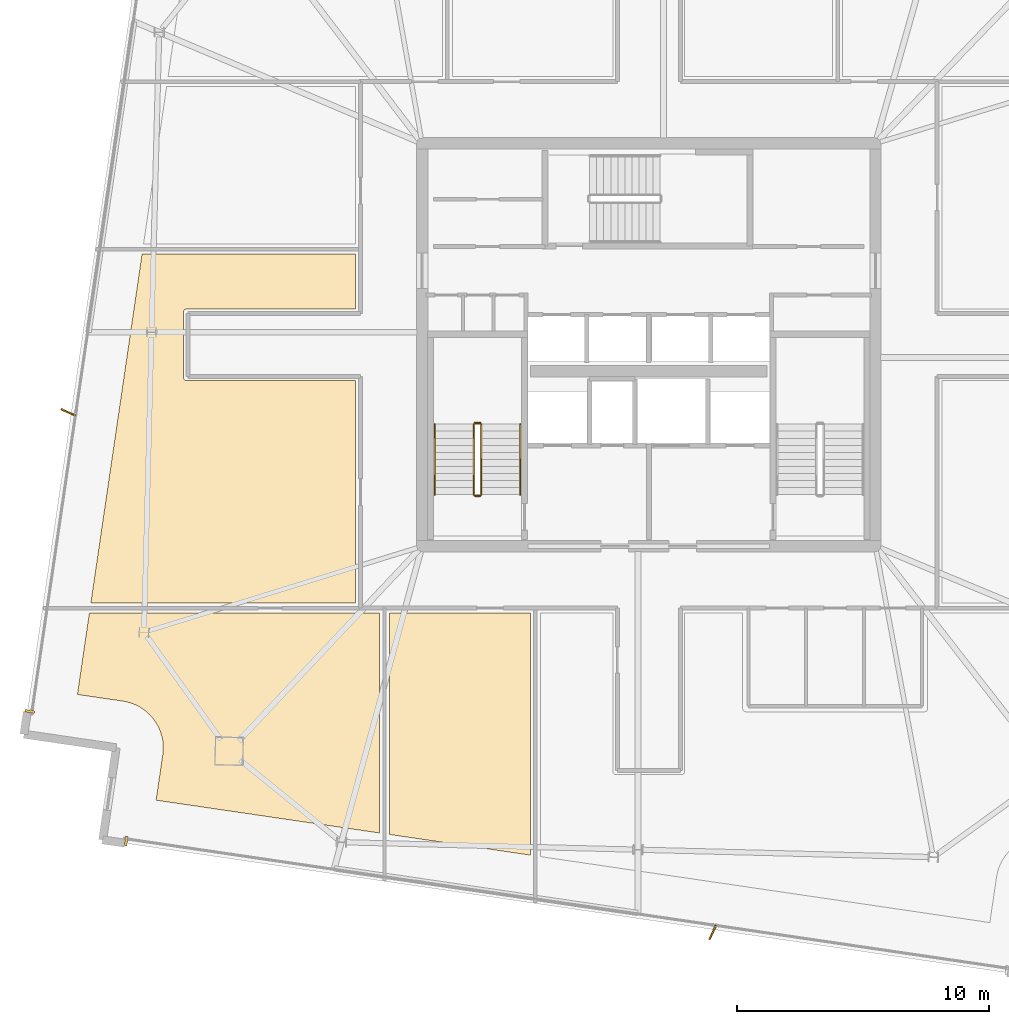
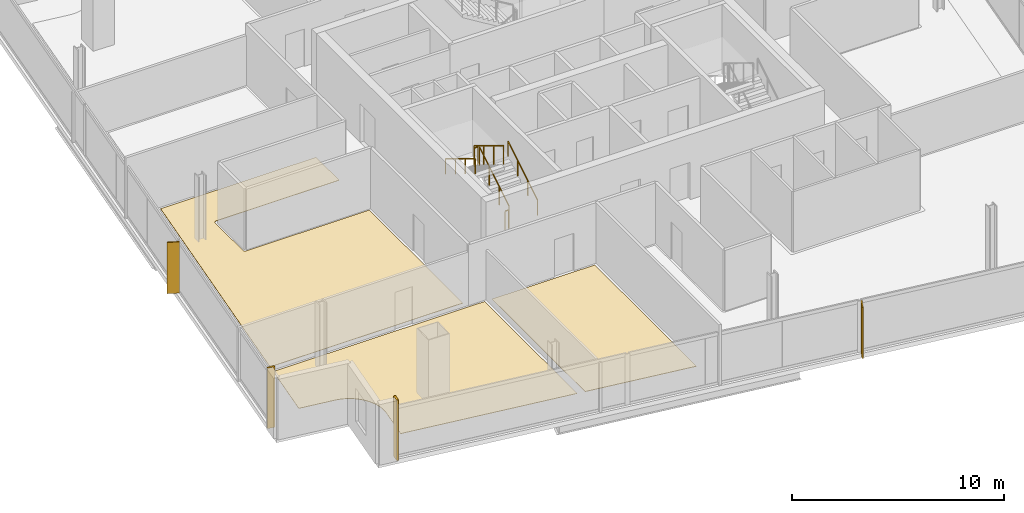
# One storey, part 20 of 22: 6 railings, 5 coverings, 2 shading devices.
"""IFC4 building model written with IfcOpenShell, lengths in metres."""

from ifc_helpers import new_model, si_unit, direction, frame, origin, origin_2d, place, context, subcontext, project, spatial, polyline, rectangle, outline, extrude, source, transform, mapped, material, layer, layer_set, type_object, element, save


model = new_model("IFC4")

# Units and contexts
model_context = context("Model", 3, precision=1e-05, world=origin(), true_north=direction((0.0, 1.0)))
body_context = subcontext(model_context, "Body", "Model", "MODEL_VIEW")
ifc_project = project(units=[si_unit("LENGTHUNIT", "METRE"), si_unit("AREAUNIT", "SQUARE_METRE"), si_unit("VOLUMEUNIT", "CUBIC_METRE"), si_unit("PLANEANGLEUNIT", "RADIAN"), si_unit("MASSUNIT", "GRAM", prefix="KILO")], contexts=[model_context])

# Site, building, storey
site_placement = place(None, origin())
site = spatial("IfcSite", under=ifc_project, at=site_placement, CompositionType="ELEMENT")
building_placement = place(site_placement, origin())
building = spatial("IfcBuilding", under=site, at=building_placement, Name="Haldenkirk Collegiate Tower", CompositionType="ELEMENT")
storey_placement = place(building_placement, frame((0.0, 0.0, 302.699951171875)))
storey = spatial("IfcBuildingStorey", under=building, at=storey_placement, Name="L76", CompositionType="ELEMENT", Elevation=302.699951171875)

# Coverings
ifc_material_1 = material(Name="Polished collegiate terrazzo", Category="concrete")
ifc_layer_1 = layer(ifc_material_1, 0.02490234375)
ifc_layer_set_1 = layer_set([ifc_layer_1], Name="Polished collegiate terrazzo")
covering_type_1 = type_object("IfcCoveringType", Name="COV-FLOOR-TERRAZZO", PredefinedType="FLOORING", material=ifc_layer_set_1)
covering_1_placement = place(storey_placement, origin())
element("IfcCovering", 1, at=covering_1_placement, inside=storey, type_object=covering_type_1, Name="L76 academic room finish 02", PredefinedType="FLOORING", context=body_context, shape_type="SweptSolid", body=[
    extrude(outline(polyline([(25.699951171875, 6.559814453125), (25.699951171875, 15.35009765625), (31.300048828125, 15.35009765625), (31.300048828125, 5.73779296875), (25.699951171875, 6.559814453125)])), origin(), (0.0, 0.0, 1.0), 0.025146484375),
])
ifc_material_2 = material(Name="Engineered collegiate oak acoustic flooring", Category="wood")
ifc_layer_2 = layer(ifc_material_2, 0.02197265625)
ifc_layer_set_2 = layer_set([ifc_layer_2], Name="Engineered collegiate oak acoustic flooring")
covering_type_2 = type_object("IfcCoveringType", Name="COV-FLOOR-TIMBER", PredefinedType="FLOORING", material=ifc_layer_set_2)
covering_2_placement = place(storey_placement, origin())
element("IfcCovering", 2, at=covering_2_placement, inside=storey, type_object=covering_type_2, Name="L76 academic room finish 01", PredefinedType="FLOORING", context=body_context, shape_type="SweptSolid", body=[
    extrude(outline(polyline([(16.43701171875, 7.919189453125), (16.70263671875, 9.72998046875), (16.703369140625, 9.735595703125), (16.719970703125, 9.906494140625), (16.720458984375, 9.918212890625), (16.72021484375, 10.090087890625), (16.7197265625, 10.101806640625), (16.70263671875, 10.272705078125), (16.700927734375, 10.284423828125), (16.6669921875, 10.452880859375), (16.664306640625, 10.464111328125), (16.614013671875, 10.62841796875), (16.610107421875, 10.6396484375), (16.544189453125, 10.798095703125), (16.5390625, 10.80859375), (16.4580078125, 10.960205078125), (16.451904296875, 10.97021484375), (16.356201171875, 11.11279296875), (16.34912109375, 11.122314453125), (16.239990234375, 11.2548828125), (16.232177734375, 11.263671875), (16.1103515625, 11.385009765625), (16.101806640625, 11.392822265625), (15.96875, 11.50146484375), (15.959228515625, 11.508544921875), (15.81640625, 11.603759765625), (15.806396484375, 11.609619140625), (15.65478515625, 11.6904296875), (15.64404296875, 11.6953125), (15.4853515625, 11.760986328125), (15.47412109375, 11.764892578125), (15.309814453125, 11.814453125), (15.29833984375, 11.8173828125), (15.1298828125, 11.8505859375), (15.1240234375, 11.8515625), (13.3134765625, 12.1171875), (13.787841796875, 15.35009765625), (25.300048828125, 15.35009765625), (25.300048828125, 6.618408203125), (16.43701171875, 7.919189453125)])), origin(), (0.0, 0.0, 1.0), 0.02197265625),
])
covering_3_placement = place(storey_placement, origin())
element("IfcCovering", 3, at=covering_3_placement, inside=storey, type_object=covering_type_2, Name="L76 academic room finish 07", PredefinedType="FLOORING", context=body_context, shape_type="SweptSolid", body=[
    extrude(outline(polyline([(17.64990234375, 27.419921875), (17.63818359375, 27.41943359375), (17.626708984375, 27.417724609375), (17.615234375, 27.414794921875), (17.60400390625, 27.410888671875), (17.593505859375, 27.40576171875), (17.583251953125, 27.39990234375), (17.573974609375, 27.392822265625), (17.565185546875, 27.385009765625), (17.55712890625, 27.376220703125), (17.55029296875, 27.36669921875), (17.544189453125, 27.356689453125), (17.5390625, 27.345947265625), (17.53515625, 27.334716796875), (17.5322265625, 27.323486328125), (17.530517578125, 27.311767578125), (17.530029296875, 27.300048828125), (17.530029296875, 24.699951171875), (17.530517578125, 24.688232421875), (17.5322265625, 24.676513671875), (17.53515625, 24.665283203125), (17.5390625, 24.654052734375), (17.544189453125, 24.643310546875), (17.55029296875, 24.63330078125), (17.55712890625, 24.623779296875), (17.565185546875, 24.614990234375), (17.573974609375, 24.607177734375), (17.583251953125, 24.60009765625), (17.593505859375, 24.59423828125), (17.60400390625, 24.589111328125), (17.615234375, 24.585205078125), (17.626708984375, 24.582275390625), (17.63818359375, 24.58056640625), (17.64990234375, 24.580078125), (24.35009765625, 24.580078125), (24.35009765625, 15.75), (13.8466796875, 15.75), (15.87939453125, 29.60009765625), (24.35009765625, 29.60009765625), (24.35009765625, 27.419921875), (17.64990234375, 27.419921875)])), origin(), (0.0, 0.0, 1.0), 0.02197265625),
])

# Railings
ifc_material_3 = material(Name="Painted architectural tubular steel", Category="steel")
railing_type_1 = type_object("IfcRailingType", Name="RLG-STAIR-GUARD-1100", PredefinedType="BALUSTRADE", material=ifc_material_3)
railing_1_placement = place(storey_placement, frame((29.35009765625, 20.050048828125, 0.17041015625)))
element("IfcRailing", 4, at=railing_1_placement, inside=storey, type_object=railing_type_1, Name="L76 ST-1 stair guard 1", PredefinedType="BALUSTRADE", context=body_context, shape_type="SweptSolid", body=[
    extrude(rectangle(XDim=0.048095703125, YDim=0.048095703125, at=origin_2d()), frame((0.0, 0.0, 1.076171875), z_axis=(0.0, 0.854169791009, 0.51999420009), x_axis=(-1.0, 0.0, 0.0)), (0.0, 0.0, 1.0), 3.278076171875),
    extrude(rectangle(XDim=0.0419921875, YDim=0.0419921875, at=origin_2d()), origin(), (0.0, 0.0, 1.0), 1.052001953125),
    extrude(rectangle(XDim=0.0419921875, YDim=0.0419921875, at=origin_2d()), frame((0.0, 0.933349609375, 0.568115234375)), (0.0, 0.0, 1.0), 1.052001953125),
    extrude(rectangle(XDim=0.0419921875, YDim=0.0419921875, at=origin_2d()), frame((0.0, 1.86669921875, 1.136474609375)), (0.0, 0.0, 1.0), 1.052001953125),
    extrude(rectangle(XDim=0.0419921875, YDim=0.0419921875, at=origin_2d()), frame((0.0, 2.800048828125, 1.70458984375)), (0.0, 0.0, 1.0), 1.052001953125),
])
railing_2_placement = place(storey_placement, frame((29.300048828125, 22.89990234375, 1.875)))
element("IfcRailing", 5, at=railing_2_placement, inside=storey, type_object=railing_type_1, Name="L76 ST-1 stair guard 2", PredefinedType="BALUSTRADE", context=body_context, shape_type="SweptSolid", body=[
    extrude(rectangle(XDim=0.048095703125, YDim=0.048095703125, at=origin_2d()), frame((0.0, 0.0, 1.076171875), z_axis=(-1.0, 0.0, 0.0), x_axis=(0.0, -1.0, 0.0)), (0.0, 0.0, 1.0), 0.199951171875),
    extrude(rectangle(XDim=0.0419921875, YDim=0.0419921875, at=origin_2d()), origin(), (0.0, 0.0, 1.0), 1.052001953125),
    extrude(rectangle(XDim=0.0419921875, YDim=0.0419921875, at=origin_2d()), frame((-0.199951171875, 0.0, 0.0)), (0.0, 0.0, 1.0), 1.052001953125),
])
railing_3_placement = place(storey_placement, frame((29.050048828125, 22.85009765625, 2.04541015625)))
element("IfcRailing", 6, at=railing_3_placement, inside=storey, type_object=railing_type_1, Name="L76 ST-1 stair guard 3", PredefinedType="BALUSTRADE", context=body_context, shape_type="SweptSolid", body=[
    extrude(rectangle(XDim=0.048095703125, YDim=0.048095703125, at=origin_2d()), frame((0.0, 0.0, 1.076171875), z_axis=(0.0, -0.854169791009, 0.51999420009), x_axis=(1.0, 0.0, 0.0)), (0.0, 0.0, 1.0), 3.278076171875),
    extrude(rectangle(XDim=0.0419921875, YDim=0.0419921875, at=origin_2d()), origin(), (0.0, 0.0, 1.0), 1.052001953125),
    extrude(rectangle(XDim=0.0419921875, YDim=0.0419921875, at=origin_2d()), frame((0.0, -0.933349609375, 0.568115234375)), (0.0, 0.0, 1.0), 1.052001953125),
    extrude(rectangle(XDim=0.0419921875, YDim=0.0419921875, at=origin_2d()), frame((0.0, -1.86669921875, 1.136474609375)), (0.0, 0.0, 1.0), 1.052001953125),
    extrude(rectangle(XDim=0.0419921875, YDim=0.0419921875, at=origin_2d()), frame((0.0, -2.800048828125, 1.70458984375)), (0.0, 0.0, 1.0), 1.052001953125),
])
railing_4_placement = place(storey_placement, frame((29.300048828125, 20.0, 0.0)))
element("IfcRailing", 7, at=railing_4_placement, inside=storey, type_object=railing_type_1, Name="L76 ST-1 stair guard 4", PredefinedType="BALUSTRADE", context=body_context, shape_type="SweptSolid", body=[
    extrude(rectangle(XDim=0.048095703125, YDim=0.048095703125, at=origin_2d()), frame((0.0, 0.0, 1.076171875), z_axis=(-1.0, 0.0, 0.0), x_axis=(0.0, -1.0, 0.0)), (0.0, 0.0, 1.0), 0.199951171875),
    extrude(rectangle(XDim=0.0419921875, YDim=0.0419921875, at=origin_2d()), origin(), (0.0, 0.0, 1.0), 1.052001953125),
    extrude(rectangle(XDim=0.0419921875, YDim=0.0419921875, at=origin_2d()), frame((-0.199951171875, 0.0, 0.0)), (0.0, 0.0, 1.0), 1.052001953125),
])
railing_type_2 = type_object("IfcRailingType", Name="RLG-STAIR-HANDRAIL-900", PredefinedType="HANDRAIL", material=ifc_material_3)
railing_5_placement = place(storey_placement, frame((30.89990234375, 20.050048828125, 0.17041015625)))
element("IfcRailing", 8, at=railing_5_placement, inside=storey, type_object=railing_type_2, Name="L76 ST-1 stair handrail 1", PredefinedType="HANDRAIL", context=body_context, shape_type="SweptSolid", body=[
    extrude(rectangle(XDim=0.048095703125, YDim=0.048095703125, at=origin_2d()), frame((0.0, 0.0, 0.8759765625), z_axis=(0.0, 0.854169791009, 0.51999420009), x_axis=(-1.0, 0.0, 0.0)), (0.0, 0.0, 1.0), 3.278076171875),
    extrude(rectangle(XDim=0.0419921875, YDim=0.0419921875, at=origin_2d()), origin(), (0.0, 0.0, 1.0), 0.851806640625),
    extrude(rectangle(XDim=0.0419921875, YDim=0.0419921875, at=origin_2d()), frame((0.0, 0.933349609375, 0.568115234375)), (0.0, 0.0, 1.0), 0.851806640625),
    extrude(rectangle(XDim=0.0419921875, YDim=0.0419921875, at=origin_2d()), frame((0.0, 1.86669921875, 1.136474609375)), (0.0, 0.0, 1.0), 0.851806640625),
    extrude(rectangle(XDim=0.0419921875, YDim=0.0419921875, at=origin_2d()), frame((0.0, 2.800048828125, 1.70458984375)), (0.0, 0.0, 1.0), 0.851806640625),
])
railing_6_placement = place(storey_placement, frame((27.5, 22.85009765625, 2.04541015625)))
element("IfcRailing", 9, at=railing_6_placement, inside=storey, type_object=railing_type_2, Name="L76 ST-1 stair handrail 2", PredefinedType="HANDRAIL", context=body_context, shape_type="SweptSolid", body=[
    extrude(rectangle(XDim=0.048095703125, YDim=0.048095703125, at=origin_2d()), frame((0.0, 0.0, 0.8759765625), z_axis=(0.0, -0.854169791009, 0.51999420009), x_axis=(1.0, 0.0, 0.0)), (0.0, 0.0, 1.0), 3.278076171875),
    extrude(rectangle(XDim=0.0419921875, YDim=0.0419921875, at=origin_2d()), origin(), (0.0, 0.0, 1.0), 0.851806640625),
    extrude(rectangle(XDim=0.0419921875, YDim=0.0419921875, at=origin_2d()), frame((0.0, -0.933349609375, 0.568115234375)), (0.0, 0.0, 1.0), 0.851806640625),
    extrude(rectangle(XDim=0.0419921875, YDim=0.0419921875, at=origin_2d()), frame((0.0, -1.86669921875, 1.136474609375)), (0.0, 0.0, 1.0), 0.851806640625),
    extrude(rectangle(XDim=0.0419921875, YDim=0.0419921875, at=origin_2d()), frame((0.0, -2.800048828125, 1.70458984375)), (0.0, 0.0, 1.0), 0.851806640625),
])

# Coverings
ifc_material_4 = material(Name="Anodised architectural bronze aluminium", Category="aluminium")
ifc_layer_3 = layer(ifc_material_4, 0.06005859375)
ifc_layer_set_3 = layer_set([ifc_layer_3], Name="Anodised architectural bronze aluminium")
covering_type_3 = type_object("IfcCoveringType", Name="COV-CLAD-BRONZE-60", PredefinedType="CLADDING", material=ifc_layer_set_3)
shared_shape_1 = source(origin(), body_context, "Body", "SweptSolid", [
    extrude(rectangle(XDim=0.10009765625, YDim=0.3798828125, at=origin_2d()), origin(), (0.0, 0.0, 1.0), 3.489990234375),
])
for number, where, z_axis, x_axis, name in (
    (10, (11.415771484375, 11.44580078125, 0.0), (0.0, 0.0, 1.0), (0.145219670077, 0.989399437751, 0.0), "L76 recessed curtain-wall bronze jamb closure NJL"),
    (11, (15.24853515625, 6.294677734375, 0.0), (0.0, 0.0, 1.0), (-0.989399437751, 0.145219670077, 0.0), "L76 recessed curtain-wall bronze jamb closure WJR"),
):
    element("IfcCovering", number, at=place(storey_placement, frame(where, z_axis=z_axis, x_axis=x_axis)), inside=storey, type_object=covering_type_3, Name=name, PredefinedType="CLADDING", context=body_context, shape_type="MappedRepresentation", body=[
        mapped(shared_shape_1, transform((0.0, 0.0, 0.0), x_axis=(1.0, 0.0, 0.0), y_axis=(0.0, 1.0, 0.0), z_axis=(0.0, 0.0, 1.0), scale=1.0)),
    ])

# Shading devices
ifc_layer_4 = layer(ifc_material_4, 0.06494140625)
ifc_layer_set_4 = layer_set([ifc_layer_4], Name="Anodised architectural bronze aluminium")
shading_device_type = type_object("IfcShadingDeviceType", Name="SHD-FIN-BRONZE-620", PredefinedType="USERDEFINED", material=ifc_layer_set_4)
shared_shape_2 = source(origin(), body_context, "Body", "SweptSolid", [
    extrude(rectangle(XDim=0.6201171875, YDim=0.06494140625, at=origin_2d()), origin(), (0.0, 0.0, 1.0), 2.947998046875),
])
for number, where, z_axis, x_axis, name in (
    (12, (12.951416015625, 23.318603515625, 0.0), (0.0, 0.0, 1.0), (-0.911043815621, 0.412309551211, 0.0), "L76 folded bronze solar fin 1"),
    (13, (38.538818359375, 2.6689453125, 0.0), (0.0, 0.0, 1.0), (-0.412309551211, -0.911043815621, 0.0), "L76 folded bronze solar fin 1"),
):
    element("IfcShadingDevice", number, at=place(storey_placement, frame(where, z_axis=z_axis, x_axis=x_axis)), inside=storey, type_object=shading_device_type, Name=name, ObjectType="FIN", PredefinedType="USERDEFINED", context=body_context, shape_type="MappedRepresentation", body=[
        mapped(shared_shape_2, transform((0.0, 0.0, 0.0), x_axis=(1.0, 0.0, 0.0), y_axis=(0.0, 1.0, 0.0), z_axis=(0.0, 0.0, 1.0), scale=1.0)),
    ])

save(model, "model.ifc")
